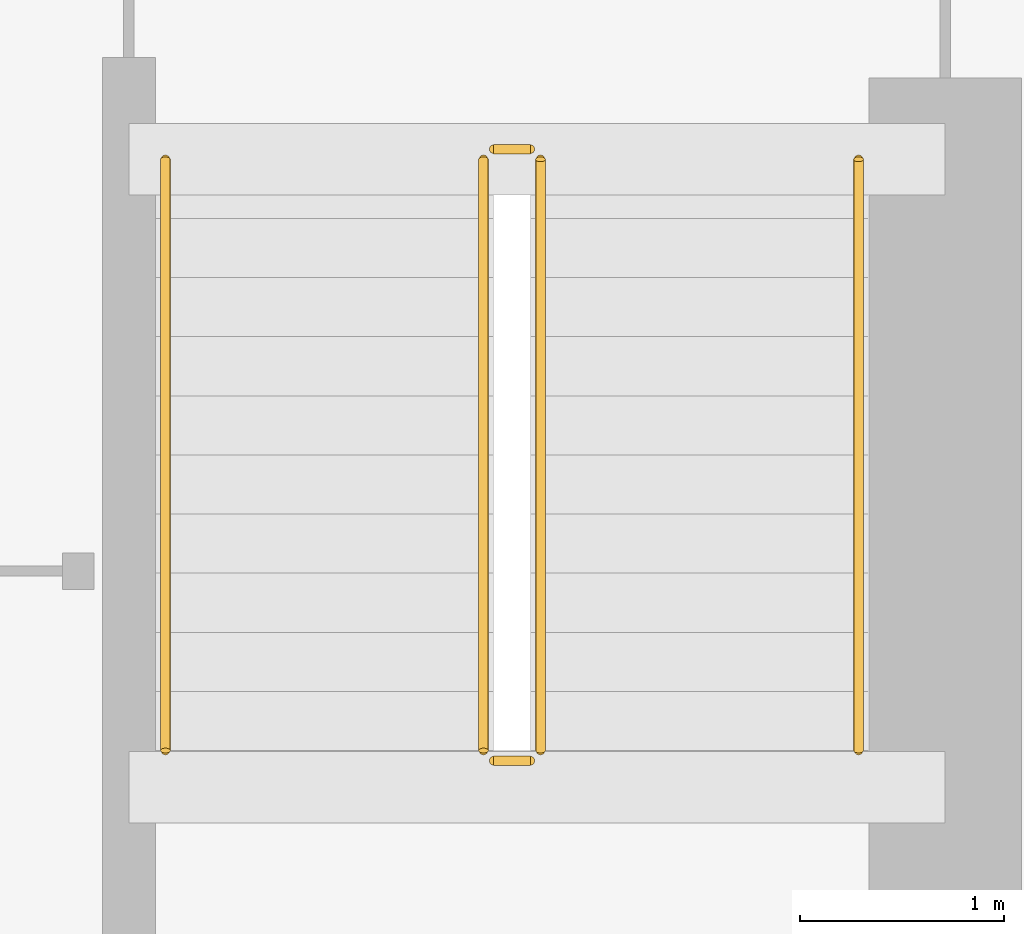
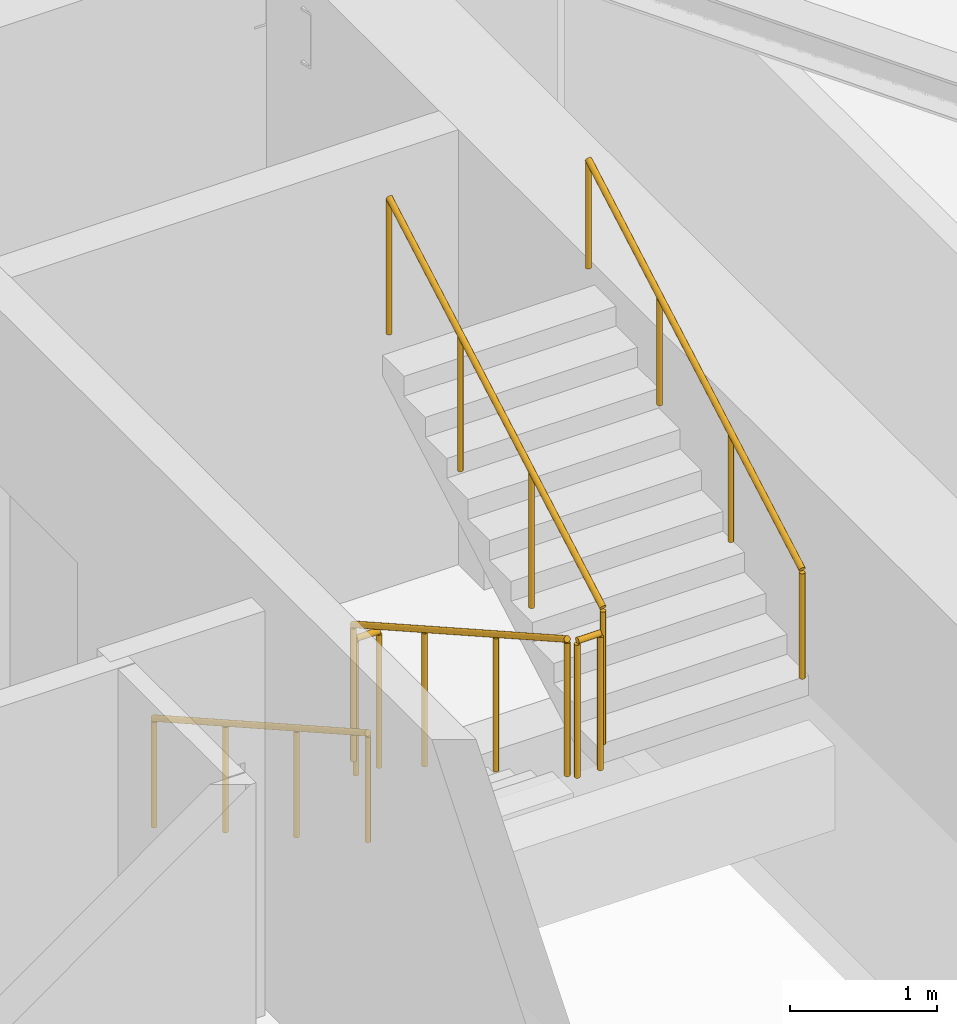
# One storey, part 10 of 10: 6 railings.
"""IFC4 building model written with IfcOpenShell, lengths in metres."""

from ifc_helpers import new_model, si_unit, direction, frame, origin, origin_2d, place, context, subcontext, project, spatial, circle, extrude, material, type_object, element, save


model = new_model("IFC4")

# Units and contexts
model_context = context("Model", 3, precision=1e-05, world=origin(), true_north=direction((0.0, 1.0)))
body_context = subcontext(model_context, "Body", "Model", "MODEL_VIEW")
ifc_project = project(units=[si_unit("LENGTHUNIT", "METRE"), si_unit("AREAUNIT", "SQUARE_METRE"), si_unit("VOLUMEUNIT", "CUBIC_METRE"), si_unit("PLANEANGLEUNIT", "RADIAN"), si_unit("MASSUNIT", "GRAM", prefix="KILO")], contexts=[model_context])

# Site, building, storey
site_placement = place(None, origin())
site = spatial("IfcSite", under=ifc_project, at=site_placement, CompositionType="ELEMENT")
building_placement = place(site_placement, origin())
building = spatial("IfcBuilding", under=site, at=building_placement, Name="Calvemar Wedge Station Tower", CompositionType="ELEMENT")
storey_placement = place(building_placement, frame((0.0, 0.0, 150.199951171875)))
storey = spatial("IfcBuildingStorey", under=building, at=storey_placement, Name="L37", CompositionType="ELEMENT", Elevation=150.199951171875)

# Railings
ifc_material_1 = material(Name="Stainless steel AISI 316L", Category="steel")
railing_type_1 = type_object("IfcRailingType", Name="RL-HANDRAIL-920", PredefinedType="HANDRAIL", material=ifc_material_1)
railing_1_placement = place(storey_placement, frame((27.550048828125, 41.14990234375, 0.16357421875)))
element("IfcRailing", 1, at=railing_1_placement, inside=storey, type_object=railing_type_1, Name="L37 ST-C2 stair handrail 1", PredefinedType="HANDRAIL", context=body_context, shape_type="SweptSolid", body=[
    extrude(circle(Radius=0.02392578125, at=origin_2d()), frame((0.0, 0.0, 0.89599609375), z_axis=(0.0, -0.870897200241, 0.491465224214), x_axis=(1.0, 0.0, 0.0)), (0.0, 0.0, 1.0), 3.329833984375),
    extrude(circle(Radius=0.02099609375, at=origin_2d()), origin(), (0.0, 0.0, 1.0), 0.871826171875),
    extrude(circle(Radius=0.02099609375, at=origin_2d()), frame((0.0, -0.966552734375, 0.54541015625)), (0.0, 0.0, 1.0), 0.871826171875),
    extrude(circle(Radius=0.02099609375, at=origin_2d()), frame((0.0, -1.933349609375, 1.091064453125)), (0.0, 0.0, 1.0), 0.871826171875),
    extrude(circle(Radius=0.02099609375, at=origin_2d()), frame((0.0, -2.89990234375, 1.636474609375)), (0.0, 0.0, 1.0), 0.871826171875),
])
railing_2_placement = place(storey_placement, frame((30.949951171875, 38.25, 1.963623046875)))
element("IfcRailing", 2, at=railing_2_placement, inside=storey, type_object=railing_type_1, Name="L37 ST-C2 stair handrail 2", PredefinedType="HANDRAIL", context=body_context, shape_type="SweptSolid", body=[
    extrude(circle(Radius=0.02392578125, at=origin_2d()), frame((0.0, 0.0, 0.89599609375), z_axis=(0.0, 0.870897200241, 0.491465224214), x_axis=(-1.0, 0.0, 0.0)), (0.0, 0.0, 1.0), 3.329833984375),
    extrude(circle(Radius=0.02099609375, at=origin_2d()), origin(), (0.0, 0.0, 1.0), 0.871826171875),
    extrude(circle(Radius=0.02099609375, at=origin_2d()), frame((0.0, 0.966552734375, 0.54541015625)), (0.0, 0.0, 1.0), 0.871826171875),
    extrude(circle(Radius=0.02099609375, at=origin_2d()), frame((0.0, 1.933349609375, 1.091064453125)), (0.0, 0.0, 1.0), 0.871826171875),
    extrude(circle(Radius=0.02099609375, at=origin_2d()), frame((0.0, 2.89990234375, 1.636474609375)), (0.0, 0.0, 1.0), 0.871826171875),
])
ifc_material_2 = material(Name="Painted steel guardrail ASTM A500 Grade C", Category="steel")
railing_type_2 = type_object("IfcRailingType", Name="RL-STAIR-GUARD-1150", PredefinedType="GUARDRAIL", material=ifc_material_2)
railing_3_placement = place(storey_placement, frame((29.110107421875, 41.14990234375, 0.16357421875)))
element("IfcRailing", 3, at=railing_3_placement, inside=storey, type_object=railing_type_2, Name="L37 ST-C2 stair guard 1", PredefinedType="GUARDRAIL", context=body_context, shape_type="SweptSolid", body=[
    extrude(circle(Radius=0.02392578125, at=origin_2d()), frame((0.0, 0.0, 1.1259765625), z_axis=(0.0, -0.870897200241, 0.491465224214), x_axis=(1.0, 0.0, 0.0)), (0.0, 0.0, 1.0), 3.329833984375),
    extrude(circle(Radius=0.02099609375, at=origin_2d()), origin(), (0.0, 0.0, 1.0), 1.101806640625),
    extrude(circle(Radius=0.02099609375, at=origin_2d()), frame((0.0, -0.966552734375, 0.54541015625)), (0.0, 0.0, 1.0), 1.101806640625),
    extrude(circle(Radius=0.02099609375, at=origin_2d()), frame((0.0, -1.933349609375, 1.091064453125)), (0.0, 0.0, 1.0), 1.101806640625),
    extrude(circle(Radius=0.02099609375, at=origin_2d()), frame((0.0, -2.89990234375, 1.636474609375)), (0.0, 0.0, 1.0), 1.101806640625),
])
railing_4_placement = place(storey_placement, frame((29.159912109375, 38.199951171875, 1.800048828125)))
element("IfcRailing", 4, at=railing_4_placement, inside=storey, type_object=railing_type_2, Name="L37 ST-C2 stair guard 2", PredefinedType="GUARDRAIL", context=body_context, shape_type="SweptSolid", body=[
    extrude(circle(Radius=0.02392578125, at=origin_2d()), frame((0.0, 0.0, 1.1259765625), z_axis=(1.0, 0.0, 0.0), x_axis=(0.0, 1.0, 0.0)), (0.0, 0.0, 1.0), 0.18017578125),
    extrude(circle(Radius=0.02099609375, at=origin_2d()), origin(), (0.0, 0.0, 1.0), 1.101806640625),
    extrude(circle(Radius=0.02099609375, at=origin_2d()), frame((0.18017578125, 0.0, 0.0)), (0.0, 0.0, 1.0), 1.101806640625),
])
railing_5_placement = place(storey_placement, frame((29.389892578125, 38.25, 1.963623046875)))
element("IfcRailing", 5, at=railing_5_placement, inside=storey, type_object=railing_type_2, Name="L37 ST-C2 stair guard 3", PredefinedType="GUARDRAIL", context=body_context, shape_type="SweptSolid", body=[
    extrude(circle(Radius=0.02392578125, at=origin_2d()), frame((0.0, 0.0, 1.1259765625), z_axis=(0.0, 0.870897200241, 0.491465224214), x_axis=(-1.0, 0.0, 0.0)), (0.0, 0.0, 1.0), 3.329833984375),
    extrude(circle(Radius=0.02099609375, at=origin_2d()), origin(), (0.0, 0.0, 1.0), 1.101806640625),
    extrude(circle(Radius=0.02099609375, at=origin_2d()), frame((0.0, 0.966552734375, 0.54541015625)), (0.0, 0.0, 1.0), 1.101806640625),
    extrude(circle(Radius=0.02099609375, at=origin_2d()), frame((0.0, 1.933349609375, 1.091064453125)), (0.0, 0.0, 1.0), 1.101806640625),
    extrude(circle(Radius=0.02099609375, at=origin_2d()), frame((0.0, 2.89990234375, 1.636474609375)), (0.0, 0.0, 1.0), 1.101806640625),
])
railing_6_placement = place(storey_placement, frame((29.159912109375, 41.199951171875, 0.0)))
element("IfcRailing", 6, at=railing_6_placement, inside=storey, type_object=railing_type_2, Name="L37 ST-C2 stair guard 4", PredefinedType="GUARDRAIL", context=body_context, shape_type="SweptSolid", body=[
    extrude(circle(Radius=0.02392578125, at=origin_2d()), frame((0.0, 0.0, 1.1259765625), z_axis=(1.0, 0.0, 0.0), x_axis=(0.0, 1.0, 0.0)), (0.0, 0.0, 1.0), 0.18017578125),
    extrude(circle(Radius=0.02099609375, at=origin_2d()), origin(), (0.0, 0.0, 1.0), 1.101806640625),
    extrude(circle(Radius=0.02099609375, at=origin_2d()), frame((0.18017578125, 0.0, 0.0)), (0.0, 0.0, 1.0), 1.101806640625),
])

save(model, "model.ifc")
